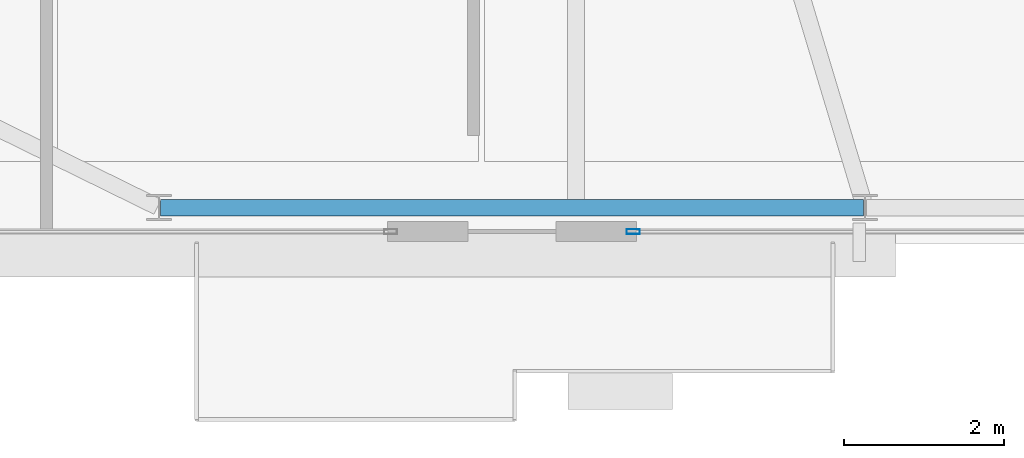
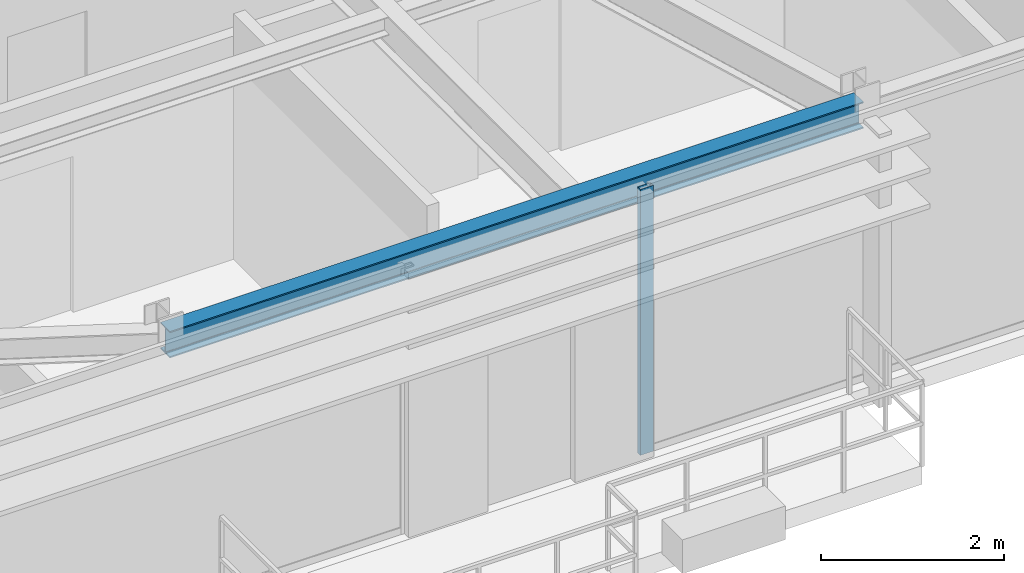
# One storey, part 5 of 24: 1 beam, 1 member, 1 element without a shape of its own.
"""IFC4 building model written with IfcOpenShell, lengths in metres."""

import ifcopenshell
import ifcopenshell.guid

model = None  # the IFC model being written
_history = None  # IfcOwnerHistory: only IFC2X3 demands one
_inside = {}  # id of a spatial element -> (the spatial element, [elements in it])
_under = {}  # id of a project, library or spatial element -> (it, [spatial elements below it])
_declared = {}  # id of a project -> (the project, [libraries it declares])
_typed = {}  # id of a type object -> (the type object, [elements of that type])
_made_of = {}  # id of a material, layer set ... -> (it, [elements and type objects made of it])


def new_model(schema):
    """Start an empty IFC model of exactly this schema.

    Asked for "IFC4X3", IfcOpenShell would pick the latest addendum, in which some entities
    have other attributes; the version numbers below select the first issue.
    IFC2X3 requires an IfcOwnerHistory on every rooted entity: one is made here for all.
    """
    global model, _history
    if schema == "IFC4X3":
        model = ifcopenshell.file(schema_version=(4, 3, 0, 0))
    else:
        model = ifcopenshell.file(schema=schema)
    _inside.clear()
    _under.clear()
    _declared.clear()
    _typed.clear()
    _made_of.clear()
    _history = None
    if model.schema == "IFC2X3":
        org = make("IfcOrganization", Name="unknown")
        user = make(
            "IfcPersonAndOrganization",
            ThePerson=make("IfcPerson", FamilyName="unknown"),
            TheOrganization=org,
        )
        app = make(
            "IfcApplication",
            ApplicationDeveloper=org,
            Version="unknown",
            ApplicationFullName="unknown",
            ApplicationIdentifier="unknown",
        )
        _history = make(
            "IfcOwnerHistory",
            OwningUser=user,
            OwningApplication=app,
            ChangeAction="ADDED",
            CreationDate=0,
        )
    return model


def make(cls, **values):
    """One entity of the class cls with the attributes given. An attribute that is None is left unset."""
    return model.create_entity(
        cls, **{name: value for name, value in values.items() if value is not None}
    )


def rooted(cls, **values):
    """An entity with a GlobalId (a new one), such as an element, a storey or a relation."""
    return make(cls, GlobalId=ifcopenshell.guid.new(), OwnerHistory=_history, **values)


def si_unit(unit_type, name, prefix=None):
    """IfcSIUnit, for example si_unit("LENGTHUNIT", "METRE", prefix="MILLI")."""
    return make("IfcSIUnit", UnitType=unit_type, Prefix=prefix, Name=name)


def assignment(units):
    """IfcUnitAssignment: the units of a project."""
    return None if units is None else make("IfcUnitAssignment", Units=units)


def point(xyz):
    """IfcCartesianPoint."""
    return None if xyz is None else make("IfcCartesianPoint", Coordinates=xyz)


def direction(xyz):
    """IfcDirection."""
    return None if xyz is None else make("IfcDirection", DirectionRatios=xyz)


def frame(location, z_axis=None, x_axis=None):
    """IfcAxis2Placement3D, a coordinate frame: its origin and axes. An axis left out is left unset."""
    return make(
        "IfcAxis2Placement3D",
        Location=point(location),
        Axis=direction(z_axis),
        RefDirection=direction(x_axis),
    )


def frame_2d(location, x_axis=None):
    """IfcAxis2Placement2D, a coordinate frame in the plane: its origin and x axis."""
    return make(
        "IfcAxis2Placement2D", Location=point(location), RefDirection=direction(x_axis)
    )


def origin():
    """The frame at (0, 0, 0) with its axes left unset."""
    return frame((0.0, 0.0, 0.0))


def origin_2d():
    """The frame at (0, 0) in the plane with its x axis left unset."""
    return frame_2d((0.0, 0.0))


def place(relative_to, where):
    """IfcLocalPlacement: puts the frame where relative to a parent placement (None: the world)."""
    return make(
        "IfcLocalPlacement", PlacementRelTo=relative_to, RelativePlacement=where
    )


def context(
    kind, dimensions, precision=None, world=None, true_north=None, identifier=None
):
    """IfcGeometricRepresentationContext, for example the 3D "Model" context."""
    return make(
        "IfcGeometricRepresentationContext",
        ContextIdentifier=identifier,
        ContextType=kind,
        CoordinateSpaceDimension=dimensions,
        Precision=precision,
        WorldCoordinateSystem=world,
        TrueNorth=true_north,
    )


def subcontext(parent, identifier, kind, view, scale=None):
    """IfcGeometricRepresentationSubContext, for example "Body" below "Model"."""
    return make(
        "IfcGeometricRepresentationSubContext",
        ContextIdentifier=identifier,
        ContextType=kind,
        ParentContext=parent,
        TargetScale=scale,
        TargetView=view,
    )


def project(units=None, contexts=None):
    """IfcProject with its units and contexts."""
    return rooted(
        "IfcProject",
        Name="project",
        RepresentationContexts=contexts,
        UnitsInContext=assignment(units),
    )


def spatial(cls, under=None, at=None, **own):
    """A site, building, storey or space (cls), placed at a placement, below another one or the project."""
    s = rooted(cls, ObjectPlacement=at, **own)
    if under is not None:
        _under.setdefault(under.id(), (under, []))[1].append(s)
    return s


def profile(cls, at=None, kind="AREA", **sizes):
    """A parametric profile (cls). Its sizes go by their IFC names, for example OverallWidth=200.0."""
    return make(cls, ProfileType=kind, Position=at, **sizes)


def hollow_rectangle(**sizes):
    """IfcRectangleHollowProfileDef."""
    return profile("IfcRectangleHollowProfileDef", **sizes)


def i_section(**sizes):
    """IfcIShapeProfileDef."""
    return profile("IfcIShapeProfileDef", **sizes)


def extrude(swept, where, along, depth):
    """IfcExtrudedAreaSolid: the profile swept, set in the frame where, extruded along a direction by depth."""
    return make(
        "IfcExtrudedAreaSolid",
        SweptArea=swept,
        Position=where,
        ExtrudedDirection=direction(along),
        Depth=depth,
    )


def shape(context_of_items, identifier, shape_type, items):
    """IfcShapeRepresentation: the items that make up one representation, for example the "Body"."""
    return make(
        "IfcShapeRepresentation",
        ContextOfItems=context_of_items,
        RepresentationIdentifier=identifier,
        RepresentationType=shape_type,
        Items=items,
    )


def source(mapping_origin, context_of_items, identifier, shape_type, items):
    """IfcRepresentationMap: a shape defined once, which mapped items show again and again."""
    return make(
        "IfcRepresentationMap",
        MappingOrigin=mapping_origin,
        MappedRepresentation=shape(context_of_items, identifier, shape_type, items),
    )


def transform(
    local_origin,
    x_axis=None,
    y_axis=None,
    z_axis=None,
    scale=None,
    scale2=None,
    scale3=None,
    uniform=True,
):
    """IfcCartesianTransformationOperator3D, or its non-uniform kind. x_axis, y_axis, z_axis: its Axis1, 2, 3."""
    if uniform:
        return make(
            "IfcCartesianTransformationOperator3D",
            Axis1=direction(x_axis),
            Axis2=direction(y_axis),
            LocalOrigin=point(local_origin),
            Scale=scale,
            Axis3=direction(z_axis),
        )
    return make(
        "IfcCartesianTransformationOperator3DnonUniform",
        Axis1=direction(x_axis),
        Axis2=direction(y_axis),
        LocalOrigin=point(local_origin),
        Scale=scale,
        Axis3=direction(z_axis),
        Scale2=scale2,
        Scale3=scale3,
    )


def mapped(mapping_source, mapping_target):
    """IfcMappedItem: shows the shape of a source again, moved by a transform."""
    return make(
        "IfcMappedItem", MappingSource=mapping_source, MappingTarget=mapping_target
    )


def material(Name=None, Category=None):
    """IfcMaterial."""
    return make("IfcMaterial", Name=Name, Category=Category)


def layer(
    of_material, thickness, ventilated=None, Name=None, Category=None, Priority=None
):
    """IfcMaterialLayer: one layer of a wall or slab, of a material (None: an air gap)."""
    return make(
        "IfcMaterialLayer",
        Material=of_material,
        LayerThickness=thickness,
        IsVentilated=ventilated,
        Name=Name,
        Category=Category,
        Priority=Priority,
    )


def layer_set(layers, Name=None):
    """IfcMaterialLayerSet."""
    return make("IfcMaterialLayerSet", MaterialLayers=layers, LayerSetName=Name)


def material_profile(
    of_material, cross_section, Name=None, Category=None, Priority=None
):
    """IfcMaterialProfile: a cross section and its material."""
    return make(
        "IfcMaterialProfile",
        Name=Name,
        Material=of_material,
        Profile=cross_section,
        Priority=Priority,
        Category=Category,
    )


def profile_set(profiles, Name=None, composite=None):
    """IfcMaterialProfileSet."""
    return make(
        "IfcMaterialProfileSet",
        Name=Name,
        MaterialProfiles=profiles,
        CompositeProfile=composite,
    )


def made_of(thing, what):
    """Note that an element or type object is made of a material, layer set ...; save() writes the relation."""
    if what is not None:
        _made_of.setdefault(what.id(), (what, []))[1].append(thing)
    return thing


def type_object(cls, material=None, **own):
    """A type object (cls), such as IfcWallType, which elements share."""
    return made_of(rooted(cls, **own), material)


def type_shapes(of_type, sources):
    """Give a type object the sources (RepresentationMaps) that its elements show as mapped items."""
    of_type.RepresentationMaps = sources


def element(
    cls,
    number,
    at=None,
    inside=None,
    cuts=None,
    type_object=None,
    material=None,
    context=None,
    identifier="Body",
    shape_type=None,
    held_by="IfcProductDefinitionShape",
    body=None,
    shapes=None,
    **own,
):
    """One element of the class cls, such as IfcWall. Its Tag is "e" and its number.

    at: its placement. inside: the storey or other place that contains it. cuts: it is an
    opening in that element (IfcRelVoidsElement). A single representation is given by context,
    identifier, shape_type and body (its items); several are given by shapes. held_by: the class
    of the entity that holds the representations. save() writes the other relations.
    """
    e = rooted(cls, Tag="e%d" % number, ObjectPlacement=at, **own)
    if body is not None:
        shapes = [shape(context, identifier, shape_type, body)]
    if shapes is not None:
        e.Representation = make(held_by, Representations=shapes)
    if inside is not None:
        _inside.setdefault(inside.id(), (inside, []))[1].append(e)
    if cuts is not None:
        rooted(
            "IfcRelVoidsElement", RelatingBuildingElement=cuts, RelatedOpeningElement=e
        )
    if type_object is not None:
        _typed.setdefault(type_object.id(), (type_object, []))[1].append(e)
    return made_of(e, material)


def aggregate(whole, parts):
    """IfcRelAggregates: a whole, such as a stair, and the parts it consists of."""
    return rooted("IfcRelAggregates", RelatingObject=whole, RelatedObjects=parts)


def save(model, path):
    """Write the relations noted so far, then the file.

    IfcRelAggregates (storeys below a building ...), IfcRelContainedInSpatialStructure (elements
    in a storey), IfcRelDefinesByType, IfcRelAssociatesMaterial and IfcRelDeclares: one each for
    every whole, place, type object, material and project.
    """
    for whole, parts in _under.values():
        aggregate(whole, parts)
    for where, things in _inside.values():
        rooted(
            "IfcRelContainedInSpatialStructure",
            RelatedElements=things,
            RelatingStructure=where,
        )
    for kind, things in _typed.values():
        rooted("IfcRelDefinesByType", RelatedObjects=things, RelatingType=kind)
    for what, things in _made_of.values():
        rooted("IfcRelAssociatesMaterial", RelatedObjects=things, RelatingMaterial=what)
    for by, libraries in _declared.values():
        rooted("IfcRelDeclares", RelatingContext=by, RelatedDefinitions=libraries)
    model.write(path)


model = new_model("IFC4")

# Units and contexts
model_context = context("Model", 3, precision=1e-05, world=origin(), true_north=direction((0.0, 1.0)))
body_context = subcontext(model_context, "Body", "Model", "MODEL_VIEW")
ifc_project = project(units=[si_unit("LENGTHUNIT", "METRE"), si_unit("AREAUNIT", "SQUARE_METRE"), si_unit("VOLUMEUNIT", "CUBIC_METRE"), si_unit("PLANEANGLEUNIT", "RADIAN"), si_unit("MASSUNIT", "GRAM", prefix="KILO")], contexts=[model_context])

# Site, building, storey
site_placement = place(None, origin())
site = spatial("IfcSite", under=ifc_project, at=site_placement, CompositionType="ELEMENT")
building_placement = place(site_placement, origin())
building = spatial("IfcBuilding", under=site, at=building_placement, Name="Varnel Quay Broadcast Tower", CompositionType="ELEMENT")
storey_placement = place(building_placement, frame((0.0, 0.0, 281.199951171875)))
storey = spatial("IfcBuildingStorey", under=building, at=storey_placement, Name="L70", CompositionType="ELEMENT", Elevation=281.199951171875)

# Beam
ifc_material_1 = material(Name="Structural Steel CSA G40.21 350W", Category="steel")
ifc_material_profile_1 = material_profile(ifc_material_1, i_section(OverallWidth=0.205078125, OverallDepth=0.35400390625, WebThickness=0.009521484375, FlangeThickness=0.016845703125, FilletRadius=0.012939453125, at=origin_2d()), Name="W360X79")
ifc_profile_set_1 = profile_set([ifc_material_profile_1], Name="Structural Steel CSA G40.21 350W")
beam_type = type_object("IfcBeamType", Name="Beam_W360X79", PredefinedType="SPANDREL", material=ifc_profile_set_1)
shared_shape_1 = source(origin(), body_context, "Body", "SweptSolid", [
    extrude(i_section(OverallWidth=0.205078125, OverallDepth=0.35400390625, WebThickness=0.009521484375, FlangeThickness=0.016845703125, FilletRadius=0.012939453125, at=origin_2d()), origin(), (0.0, 0.0, 1.0), 8.760009765625),
])
type_shapes(beam_type, [shared_shape_1])
beam_placement = place(storey_placement, frame((20.820068359375, 13.64990234375, 3.373046875), z_axis=(1.0, 0.0, 0.0), x_axis=(0.0, 1.0, 0.0)))
element("IfcBeam", 1, at=beam_placement, inside=storey, type_object=beam_type, Name="L70 South Spandrel TC-S1-TC-S2", PredefinedType="SPANDREL", context=body_context, shape_type="MappedRepresentation", body=[
    mapped(shared_shape_1, transform((0.0, 0.0, 0.0), x_axis=(1.0, 0.0, 0.0), y_axis=(0.0, 1.0, 0.0), z_axis=(0.0, 0.0, 1.0), scale=1.0)),
])

# Curtain wall, member
ifc_material_2 = material(Name="Anodised Bronze Aluminium 6063-T6", Category="aluminium")
ifc_layer = layer(ifc_material_2, 0.18994140625, Name="Anodised Bronze Aluminium 6063-T6")
ifc_layer_set = layer_set([ifc_layer], Name="Anodised Bronze Aluminium 6063-T6")
curtain_wall_type = type_object("IfcCurtainWallType", Name="CW_UpperTower", PredefinedType="NOTDEFINED", material=ifc_layer_set)
curtain_wall_placement = place(storey_placement, origin())
curtain_wall = element("IfcCurtainWall", 2, at=curtain_wall_placement, inside=storey, type_object=curtain_wall_type, Name="L70 South Unitised Curtain Wall 2", PredefinedType="NOTDEFINED")
ifc_material_profile_2 = material_profile(ifc_material_2, hollow_rectangle(XDim=0.06494140625, YDim=0.1650390625, WallThickness=0.00341796875, at=origin_2d()), Name="ALU65X165X3.5")
ifc_profile_set_2 = profile_set([ifc_material_profile_2], Name="Anodised Bronze Aluminium 6063-T6")
member_type = type_object("IfcMemberType", Name="Mull_CWS-03", PredefinedType="MULLION", material=ifc_profile_set_2)
shared_shape_2 = source(origin(), body_context, "Body", "SweptSolid", [
    extrude(hollow_rectangle(XDim=0.06494140625, YDim=0.1650390625, WallThickness=0.00341796875, at=origin_2d()), origin(), (0.0, 0.0, 1.0), 3.550048828125),
])
type_shapes(member_type, [shared_shape_2])
member_placement = place(storey_placement, frame((26.71240234375, 13.35009765625, 0.0), z_axis=(0.0, 0.0, 1.0), x_axis=(0.0, 1.0, 0.0)))
member = element("IfcMember", 3, at=member_placement, type_object=member_type, Name="CWS-03 mullion 1", PredefinedType="MULLION", context=body_context, shape_type="MappedRepresentation", body=[
    mapped(shared_shape_2, transform((0.0, 0.0, 0.0), x_axis=(1.0, 0.0, 0.0), y_axis=(0.0, 1.0, 0.0), z_axis=(0.0, 0.0, 1.0), scale=1.0)),
])
aggregate(curtain_wall, [member])

save(model, "model.ifc")
